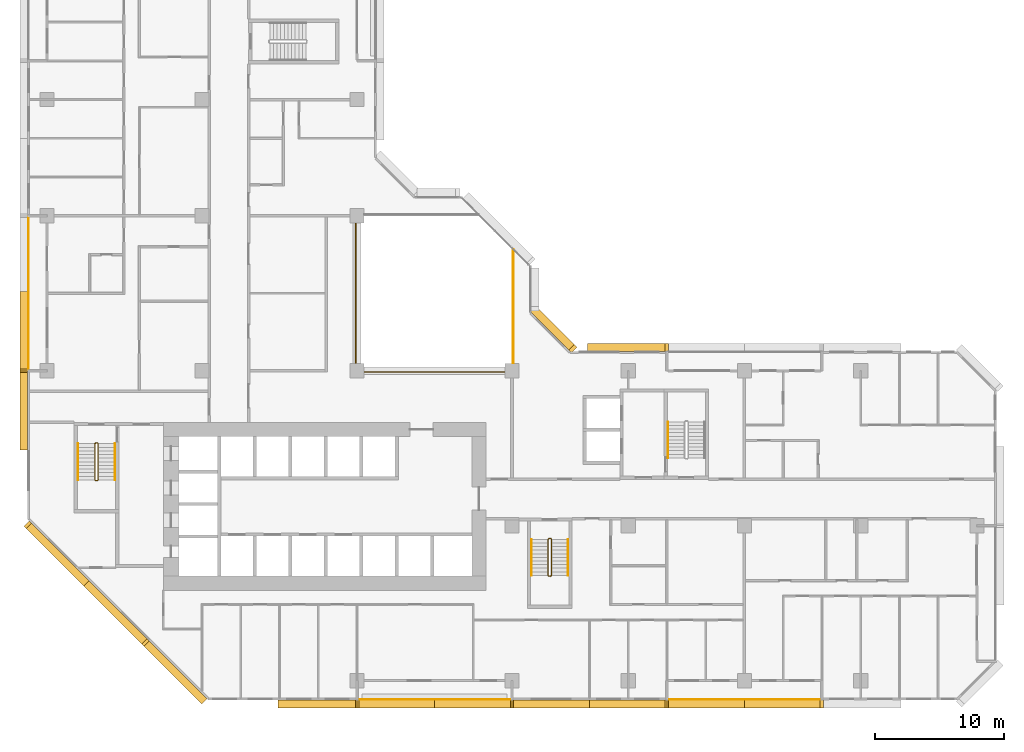
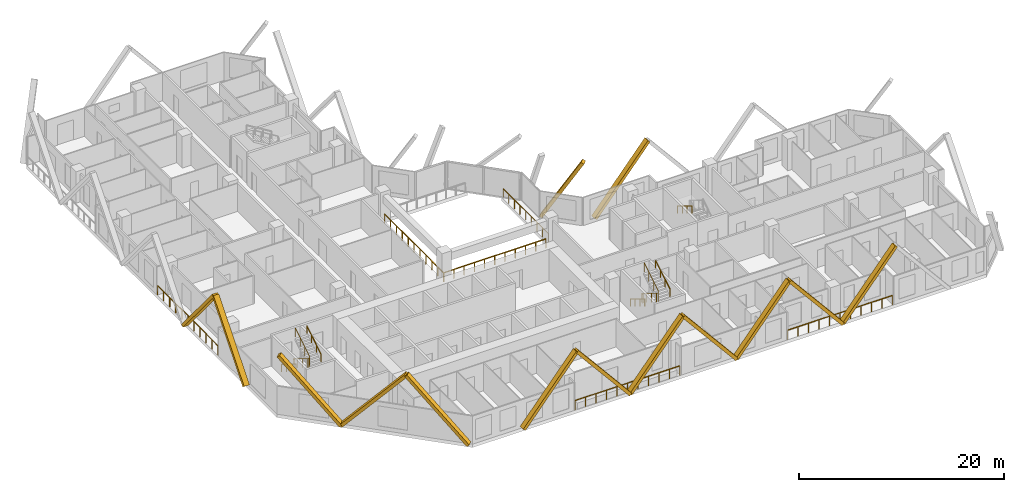
# One storey, part 14 of 15: 14 coverings, 12 railings.
"""IFC4 building model written with IfcOpenShell, lengths in metres."""

from ifc_helpers import new_model, si_unit, direction, frame, origin, origin_2d, place, context, subcontext, project, spatial, rectangle, extrude, material, material_profile, profile_set, type_object, element, save


model = new_model("IFC4")

# Units and contexts
model_context = context("Model", 3, precision=1e-05, world=origin(), true_north=direction((0.0, 1.0)))
body_context = subcontext(model_context, "Body", "Model", "MODEL_VIEW")
ifc_project = project(units=[si_unit("LENGTHUNIT", "METRE"), si_unit("AREAUNIT", "SQUARE_METRE"), si_unit("VOLUMEUNIT", "CUBIC_METRE"), si_unit("PLANEANGLEUNIT", "RADIAN"), si_unit("MASSUNIT", "GRAM", prefix="KILO")], contexts=[model_context])

# Site, building, storey
site_placement = place(None, origin())
site = spatial("IfcSite", under=ifc_project, at=site_placement, CompositionType="ELEMENT")
building_placement = place(site_placement, origin())
building = spatial("IfcBuilding", under=site, at=building_placement, Name="Chenar Terraces", CompositionType="ELEMENT")
storey_placement = place(building_placement, frame((0.0, 0.0, 63.89990234375)))
storey = spatial("IfcBuildingStorey", under=building, at=storey_placement, Name="L13", CompositionType="ELEMENT", Elevation=63.89990234375)

# Railings
ifc_material_1 = material(Name="Powder-coated steel", Category="steel")
railing_type_1 = type_object("IfcRailingType", Name="Guard 1100 steel rail with glass infill", PredefinedType="GUARDRAIL", material=ifc_material_1)
railing_1_placement = place(storey_placement, frame((23.89990234375, 35.449951171875, 0.0)))
element("IfcRailing", 1, at=railing_1_placement, inside=storey, type_object=railing_type_1, Name="Guard L13-1", PredefinedType="GUARDRAIL", context=body_context, shape_type="SweptSolid", body=[
    extrude(rectangle(XDim=0.06005859375, YDim=0.06005859375, at=origin_2d()), frame((0.0, 0.0, 1.070068359375), z_axis=(0.0, -1.0, 0.0), x_axis=(1.0, 0.0, 0.0)), (0.0, 0.0, 1.0), 11.550048828125),
    extrude(rectangle(XDim=0.06005859375, YDim=0.06005859375, at=origin_2d()), frame((0.0, -11.550048828125, 1.070068359375), z_axis=(1.0, 0.0, 0.0), x_axis=(0.0, 1.0, 0.0)), (0.0, 0.0, 1.0), 11.550048828125),
    extrude(rectangle(XDim=0.050048828125, YDim=0.050048828125, at=origin_2d()), origin(), (0.0, 0.0, 1.0), 1.0400390625),
    extrude(rectangle(XDim=0.050048828125, YDim=0.050048828125, at=origin_2d()), frame((0.0, -1.155029296875, 0.0)), (0.0, 0.0, 1.0), 1.0400390625),
    extrude(rectangle(XDim=0.050048828125, YDim=0.050048828125, at=origin_2d()), frame((0.0, -2.31005859375, 0.0)), (0.0, 0.0, 1.0), 1.0400390625),
    extrude(rectangle(XDim=0.050048828125, YDim=0.050048828125, at=origin_2d()), frame((0.0, -3.465087890625, 0.0)), (0.0, 0.0, 1.0), 1.0400390625),
    extrude(rectangle(XDim=0.050048828125, YDim=0.050048828125, at=origin_2d()), frame((0.0, -4.6201171875, 0.0)), (0.0, 0.0, 1.0), 1.0400390625),
    extrude(rectangle(XDim=0.050048828125, YDim=0.050048828125, at=origin_2d()), frame((0.0, -5.77490234375, 0.0)), (0.0, 0.0, 1.0), 1.0400390625),
    extrude(rectangle(XDim=0.050048828125, YDim=0.050048828125, at=origin_2d()), frame((0.0, -6.929931640625, 0.0)), (0.0, 0.0, 1.0), 1.0400390625),
    extrude(rectangle(XDim=0.050048828125, YDim=0.050048828125, at=origin_2d()), frame((0.0, -8.0849609375, 0.0)), (0.0, 0.0, 1.0), 1.0400390625),
    extrude(rectangle(XDim=0.050048828125, YDim=0.050048828125, at=origin_2d()), frame((0.0, -9.239990234375, 0.0)), (0.0, 0.0, 1.0), 1.0400390625),
    extrude(rectangle(XDim=0.050048828125, YDim=0.050048828125, at=origin_2d()), frame((0.0, -10.39501953125, 0.0)), (0.0, 0.0, 1.0), 1.0400390625),
    extrude(rectangle(XDim=0.050048828125, YDim=0.050048828125, at=origin_2d()), frame((0.0, -11.550048828125, 0.0)), (0.0, 0.0, 1.0), 1.0400390625),
    extrude(rectangle(XDim=0.050048828125, YDim=0.050048828125, at=origin_2d()), frame((1.155029296875, -11.550048828125, 0.0)), (0.0, 0.0, 1.0), 1.0400390625),
    extrude(rectangle(XDim=0.050048828125, YDim=0.050048828125, at=origin_2d()), frame((2.31005859375, -11.550048828125, 0.0)), (0.0, 0.0, 1.0), 1.0400390625),
    extrude(rectangle(XDim=0.050048828125, YDim=0.050048828125, at=origin_2d()), frame((3.465087890625, -11.550048828125, 0.0)), (0.0, 0.0, 1.0), 1.0400390625),
    extrude(rectangle(XDim=0.050048828125, YDim=0.050048828125, at=origin_2d()), frame((4.6201171875, -11.550048828125, 0.0)), (0.0, 0.0, 1.0), 1.0400390625),
    extrude(rectangle(XDim=0.050048828125, YDim=0.050048828125, at=origin_2d()), frame((5.77490234375, -11.550048828125, 0.0)), (0.0, 0.0, 1.0), 1.0400390625),
    extrude(rectangle(XDim=0.050048828125, YDim=0.050048828125, at=origin_2d()), frame((6.929931640625, -11.550048828125, 0.0)), (0.0, 0.0, 1.0), 1.0400390625),
    extrude(rectangle(XDim=0.050048828125, YDim=0.050048828125, at=origin_2d()), frame((8.0849609375, -11.550048828125, 0.0)), (0.0, 0.0, 1.0), 1.0400390625),
    extrude(rectangle(XDim=0.050048828125, YDim=0.050048828125, at=origin_2d()), frame((9.239990234375, -11.550048828125, 0.0)), (0.0, 0.0, 1.0), 1.0400390625),
    extrude(rectangle(XDim=0.050048828125, YDim=0.050048828125, at=origin_2d()), frame((10.39501953125, -11.550048828125, 0.0)), (0.0, 0.0, 1.0), 1.0400390625),
    extrude(rectangle(XDim=0.050048828125, YDim=0.050048828125, at=origin_2d()), frame((11.550048828125, -11.550048828125, 0.0)), (0.0, 0.0, 1.0), 1.0400390625),
])
railing_2_placement = place(storey_placement, frame((36.10009765625, 24.60009765625, 0.0)))
element("IfcRailing", 2, at=railing_2_placement, inside=storey, type_object=railing_type_1, Name="Guard L13-3", PredefinedType="GUARDRAIL", context=body_context, shape_type="SweptSolid", body=[
    extrude(rectangle(XDim=0.06005859375, YDim=0.06005859375, at=origin_2d()), frame((0.0, 0.0, 1.070068359375), z_axis=(0.0, 1.0, 0.0), x_axis=(-1.0, 0.0, 0.0)), (0.0, 0.0, 1.0), 8.7998046875),
    extrude(rectangle(XDim=0.050048828125, YDim=0.050048828125, at=origin_2d()), origin(), (0.0, 0.0, 1.0), 1.0400390625),
    extrude(rectangle(XDim=0.050048828125, YDim=0.050048828125, at=origin_2d()), frame((0.0, 1.10009765625, 0.0)), (0.0, 0.0, 1.0), 1.0400390625),
    extrude(rectangle(XDim=0.050048828125, YDim=0.050048828125, at=origin_2d()), frame((0.0, 2.199951171875, 0.0)), (0.0, 0.0, 1.0), 1.0400390625),
    extrude(rectangle(XDim=0.050048828125, YDim=0.050048828125, at=origin_2d()), frame((0.0, 3.2998046875, 0.0)), (0.0, 0.0, 1.0), 1.0400390625),
    extrude(rectangle(XDim=0.050048828125, YDim=0.050048828125, at=origin_2d()), frame((0.0, 4.39990234375, 0.0)), (0.0, 0.0, 1.0), 1.0400390625),
    extrude(rectangle(XDim=0.050048828125, YDim=0.050048828125, at=origin_2d()), frame((0.0, 5.5, 0.0)), (0.0, 0.0, 1.0), 1.0400390625),
    extrude(rectangle(XDim=0.050048828125, YDim=0.050048828125, at=origin_2d()), frame((0.0, 6.599853515625, 0.0)), (0.0, 0.0, 1.0), 1.0400390625),
    extrude(rectangle(XDim=0.050048828125, YDim=0.050048828125, at=origin_2d()), frame((0.0, 7.69970703125, 0.0)), (0.0, 0.0, 1.0), 1.0400390625),
    extrude(rectangle(XDim=0.050048828125, YDim=0.050048828125, at=origin_2d()), frame((0.0, 8.7998046875, 0.0)), (0.0, 0.0, 1.0), 1.0400390625),
])
ifc_material_2 = material(Name="Stainless steel and glass", Category="steel")
railing_type_2 = type_object("IfcRailingType", Name="Loggia guard 1150", PredefinedType="GUARDRAIL", material=ifc_material_2)
railing_3_placement = place(storey_placement, frame((24.074951171875, -1.449951171875, 0.0)))
element("IfcRailing", 3, at=railing_3_placement, inside=storey, type_object=railing_type_2, Name="Loggia guard", PredefinedType="GUARDRAIL", context=body_context, shape_type="SweptSolid", body=[
    extrude(rectangle(XDim=0.048095703125, YDim=0.048095703125, at=origin_2d()), frame((0.0, 0.0, 1.1259765625), z_axis=(1.0, 0.0, 0.0), x_axis=(0.0, 1.0, 0.0)), (0.0, 0.0, 1.0), 11.85009765625),
    extrude(rectangle(XDim=0.0419921875, YDim=0.0419921875, at=origin_2d()), origin(), (0.0, 0.0, 1.0), 1.101806640625),
    extrude(rectangle(XDim=0.0419921875, YDim=0.0419921875, at=origin_2d()), frame((1.18505859375, 0.0, 0.0)), (0.0, 0.0, 1.0), 1.101806640625),
    extrude(rectangle(XDim=0.0419921875, YDim=0.0419921875, at=origin_2d()), frame((2.3701171875, 0.0, 0.0)), (0.0, 0.0, 1.0), 1.101806640625),
    extrude(rectangle(XDim=0.0419921875, YDim=0.0419921875, at=origin_2d()), frame((3.554931640625, 0.0, 0.0)), (0.0, 0.0, 1.0), 1.101806640625),
    extrude(rectangle(XDim=0.0419921875, YDim=0.0419921875, at=origin_2d()), frame((4.739990234375, 0.0, 0.0)), (0.0, 0.0, 1.0), 1.101806640625),
    extrude(rectangle(XDim=0.0419921875, YDim=0.0419921875, at=origin_2d()), frame((5.925048828125, 0.0, 0.0)), (0.0, 0.0, 1.0), 1.101806640625),
    extrude(rectangle(XDim=0.0419921875, YDim=0.0419921875, at=origin_2d()), frame((7.110107421875, 0.0, 0.0)), (0.0, 0.0, 1.0), 1.101806640625),
    extrude(rectangle(XDim=0.0419921875, YDim=0.0419921875, at=origin_2d()), frame((8.295166015625, 0.0, 0.0)), (0.0, 0.0, 1.0), 1.101806640625),
    extrude(rectangle(XDim=0.0419921875, YDim=0.0419921875, at=origin_2d()), frame((9.47998046875, 0.0, 0.0)), (0.0, 0.0, 1.0), 1.101806640625),
    extrude(rectangle(XDim=0.0419921875, YDim=0.0419921875, at=origin_2d()), frame((10.6650390625, 0.0, 0.0)), (0.0, 0.0, 1.0), 1.101806640625),
    extrude(rectangle(XDim=0.0419921875, YDim=0.0419921875, at=origin_2d()), frame((11.85009765625, 0.0, 0.0)), (0.0, 0.0, 1.0), 1.101806640625),
])
railing_4_placement = place(storey_placement, frame((48.074951171875, -1.449951171875, 0.0)))
element("IfcRailing", 4, at=railing_4_placement, inside=storey, type_object=railing_type_2, Name="Loggia guard", PredefinedType="GUARDRAIL", context=body_context, shape_type="SweptSolid", body=[
    extrude(rectangle(XDim=0.048095703125, YDim=0.048095703125, at=origin_2d()), frame((0.0, 0.0, 1.1259765625), z_axis=(1.0, 0.0, 0.0), x_axis=(0.0, 1.0, 0.0)), (0.0, 0.0, 1.0), 11.85009765625),
    extrude(rectangle(XDim=0.0419921875, YDim=0.0419921875, at=origin_2d()), origin(), (0.0, 0.0, 1.0), 1.101806640625),
    extrude(rectangle(XDim=0.0419921875, YDim=0.0419921875, at=origin_2d()), frame((1.18505859375, 0.0, 0.0)), (0.0, 0.0, 1.0), 1.101806640625),
    extrude(rectangle(XDim=0.0419921875, YDim=0.0419921875, at=origin_2d()), frame((2.3701171875, 0.0, 0.0)), (0.0, 0.0, 1.0), 1.101806640625),
    extrude(rectangle(XDim=0.0419921875, YDim=0.0419921875, at=origin_2d()), frame((3.554931640625, 0.0, 0.0)), (0.0, 0.0, 1.0), 1.101806640625),
    extrude(rectangle(XDim=0.0419921875, YDim=0.0419921875, at=origin_2d()), frame((4.739990234375, 0.0, 0.0)), (0.0, 0.0, 1.0), 1.101806640625),
    extrude(rectangle(XDim=0.0419921875, YDim=0.0419921875, at=origin_2d()), frame((5.925048828125, 0.0, 0.0)), (0.0, 0.0, 1.0), 1.101806640625),
    extrude(rectangle(XDim=0.0419921875, YDim=0.0419921875, at=origin_2d()), frame((7.110107421875, 0.0, 0.0)), (0.0, 0.0, 1.0), 1.101806640625),
    extrude(rectangle(XDim=0.0419921875, YDim=0.0419921875, at=origin_2d()), frame((8.295166015625, 0.0, 0.0)), (0.0, 0.0, 1.0), 1.101806640625),
    extrude(rectangle(XDim=0.0419921875, YDim=0.0419921875, at=origin_2d()), frame((9.47998046875, 0.0, 0.0)), (0.0, 0.0, 1.0), 1.101806640625),
    extrude(rectangle(XDim=0.0419921875, YDim=0.0419921875, at=origin_2d()), frame((10.6650390625, 0.0, 0.0)), (0.0, 0.0, 1.0), 1.101806640625),
    extrude(rectangle(XDim=0.0419921875, YDim=0.0419921875, at=origin_2d()), frame((11.85009765625, 0.0, 0.0)), (0.0, 0.0, 1.0), 1.101806640625),
])
railing_5_placement = place(storey_placement, frame((-1.449951171875, 35.925048828125, 0.0)))
element("IfcRailing", 5, at=railing_5_placement, inside=storey, type_object=railing_type_2, Name="Loggia guard", PredefinedType="GUARDRAIL", context=body_context, shape_type="SweptSolid", body=[
    extrude(rectangle(XDim=0.048095703125, YDim=0.048095703125, at=origin_2d()), frame((0.0, 0.0, 1.1259765625), z_axis=(0.0, -1.0, 0.0), x_axis=(1.0, 0.0, 0.0)), (0.0, 0.0, 1.0), 11.85009765625),
    extrude(rectangle(XDim=0.0419921875, YDim=0.0419921875, at=origin_2d()), origin(), (0.0, 0.0, 1.0), 1.101806640625),
    extrude(rectangle(XDim=0.0419921875, YDim=0.0419921875, at=origin_2d()), frame((0.0, -1.18505859375, 0.0)), (0.0, 0.0, 1.0), 1.101806640625),
    extrude(rectangle(XDim=0.0419921875, YDim=0.0419921875, at=origin_2d()), frame((0.0, -2.3701171875, 0.0)), (0.0, 0.0, 1.0), 1.101806640625),
    extrude(rectangle(XDim=0.0419921875, YDim=0.0419921875, at=origin_2d()), frame((0.0, -3.554931640625, 0.0)), (0.0, 0.0, 1.0), 1.101806640625),
    extrude(rectangle(XDim=0.0419921875, YDim=0.0419921875, at=origin_2d()), frame((0.0, -4.739990234375, 0.0)), (0.0, 0.0, 1.0), 1.101806640625),
    extrude(rectangle(XDim=0.0419921875, YDim=0.0419921875, at=origin_2d()), frame((0.0, -5.925048828125, 0.0)), (0.0, 0.0, 1.0), 1.101806640625),
    extrude(rectangle(XDim=0.0419921875, YDim=0.0419921875, at=origin_2d()), frame((0.0, -7.110107421875, 0.0)), (0.0, 0.0, 1.0), 1.101806640625),
    extrude(rectangle(XDim=0.0419921875, YDim=0.0419921875, at=origin_2d()), frame((0.0, -8.295166015625, 0.0)), (0.0, 0.0, 1.0), 1.101806640625),
    extrude(rectangle(XDim=0.0419921875, YDim=0.0419921875, at=origin_2d()), frame((0.0, -9.47998046875, 0.0)), (0.0, 0.0, 1.0), 1.101806640625),
    extrude(rectangle(XDim=0.0419921875, YDim=0.0419921875, at=origin_2d()), frame((0.0, -10.6650390625, 0.0)), (0.0, 0.0, 1.0), 1.101806640625),
    extrude(rectangle(XDim=0.0419921875, YDim=0.0419921875, at=origin_2d()), frame((0.0, -11.85009765625, 0.0)), (0.0, 0.0, 1.0), 1.101806640625),
])
ifc_material_3 = material(Name="Powder-coated steel", Category="steel")
railing_type_3 = type_object("IfcRailingType", Name="Stair guard 1100", PredefinedType="GUARDRAIL", material=ifc_material_3)
railing_6_placement = place(storey_placement, frame((3.949951171875, 18.35009765625, 3.75)))
element("IfcRailing", 6, at=railing_6_placement, inside=storey, type_object=railing_type_3, Name="L13 ST1 stair guard 1", PredefinedType="GUARDRAIL", context=body_context, shape_type="SweptSolid", body=[
    extrude(rectangle(XDim=0.048095703125, YDim=0.048095703125, at=origin_2d()), frame((0.0, 0.0, 1.076171875), z_axis=(0.0, -0.854202870247, -0.519939858505), x_axis=(1.0, 0.0, 0.0)), (0.0, 0.0, 1.0), 3.278076171875),
    extrude(rectangle(XDim=0.048095703125, YDim=0.048095703125, at=origin_2d()), frame((0.0, -2.800048828125, -0.62841796875), z_axis=(-0.270899902878, -0.270899902878, -0.923702595667), x_axis=(0.707106781187, -0.707106781187, 0.0)), (0.0, 0.0, 1.0), 0.184814453125),
    extrude(rectangle(XDim=0.048095703125, YDim=0.048095703125, at=origin_2d()), frame((-0.050048828125, -2.85009765625, -0.798828125), z_axis=(-1.0, 0.0, 0.0), x_axis=(0.0, -1.0, 0.0)), (0.0, 0.0, 1.0), 0.14990234375),
    extrude(rectangle(XDim=0.048095703125, YDim=0.048095703125, at=origin_2d()), frame((-0.199951171875, -2.85009765625, -0.798828125), z_axis=(-0.707106781187, 0.707106781187, 0.0), x_axis=(-0.707106781187, -0.707106781187, 0.0)), (0.0, 0.0, 1.0), 0.07080078125),
    extrude(rectangle(XDim=0.048095703125, YDim=0.048095703125, at=origin_2d()), frame((-0.25, -2.800048828125, -0.798828125), z_axis=(0.0, 0.854202870247, -0.519939858505), x_axis=(-1.0, 0.0, 0.0)), (0.0, 0.0, 1.0), 3.278076171875),
    extrude(rectangle(XDim=0.048095703125, YDim=0.048095703125, at=origin_2d()), frame((-0.25, 0.0, -2.50341796875), z_axis=(0.270996696079, 0.269674760976, -0.924032636873), x_axis=(-0.705375805398, 0.708833529934, 0.0)), (0.0, 0.0, 1.0), 0.1845703125),
    extrude(rectangle(XDim=0.048095703125, YDim=0.048095703125, at=origin_2d()), frame((-0.199951171875, 0.0498046875, -2.673828125), z_axis=(1.0, 0.0, 0.0), x_axis=(0.0, 1.0, 0.0)), (0.0, 0.0, 1.0), 0.14990234375),
    extrude(rectangle(XDim=0.0419921875, YDim=0.0419921875, at=origin_2d()), origin(), (0.0, 0.0, 1.0), 1.052001953125),
    extrude(rectangle(XDim=0.0419921875, YDim=0.0419921875, at=origin_2d()), frame((0.0, -0.933349609375, -0.568115234375)), (0.0, 0.0, 1.0), 1.052001953125),
    extrude(rectangle(XDim=0.0419921875, YDim=0.0419921875, at=origin_2d()), frame((0.0, -1.86669921875, -1.13623046875)), (0.0, 0.0, 1.0), 1.052001953125),
    extrude(rectangle(XDim=0.0419921875, YDim=0.0419921875, at=origin_2d()), frame((0.0, -2.800048828125, -1.704345703125)), (0.0, 0.0, 1.0), 1.052001953125),
    extrude(rectangle(XDim=0.0419921875, YDim=0.0419921875, at=origin_2d()), frame((-0.050048828125, -2.85009765625, -1.875)), (0.0, 0.0, 1.0), 1.052001953125),
    extrude(rectangle(XDim=0.0419921875, YDim=0.0419921875, at=origin_2d()), frame((-0.199951171875, -2.85009765625, -1.875)), (0.0, 0.0, 1.0), 1.052001953125),
    extrude(rectangle(XDim=0.0419921875, YDim=0.0419921875, at=origin_2d()), frame((-0.25, -2.800048828125, -1.875)), (0.0, 0.0, 1.0), 1.052001953125),
    extrude(rectangle(XDim=0.0419921875, YDim=0.0419921875, at=origin_2d()), frame((-0.25, -1.86669921875, -2.443115234375)), (0.0, 0.0, 1.0), 1.052001953125),
    extrude(rectangle(XDim=0.0419921875, YDim=0.0419921875, at=origin_2d()), frame((-0.25, -0.933349609375, -3.01123046875)), (0.0, 0.0, 1.0), 1.052001953125),
    extrude(rectangle(XDim=0.0419921875, YDim=0.0419921875, at=origin_2d()), frame((-0.25, 0.0, -3.579345703125)), (0.0, 0.0, 1.0), 1.052001953125),
    extrude(rectangle(XDim=0.0419921875, YDim=0.0419921875, at=origin_2d()), frame((-0.199951171875, 0.0498046875, -3.75)), (0.0, 0.0, 1.0), 1.052001953125),
    extrude(rectangle(XDim=0.0419921875, YDim=0.0419921875, at=origin_2d()), frame((-0.050048828125, 0.0498046875, -3.75)), (0.0, 0.0, 1.0), 1.052001953125),
])
railing_7_placement = place(storey_placement, frame((39.050048828125, 10.949951171875, 3.75)))
element("IfcRailing", 7, at=railing_7_placement, inside=storey, type_object=railing_type_3, Name="L13 ST2 stair guard 1", PredefinedType="GUARDRAIL", context=body_context, shape_type="SweptSolid", body=[
    extrude(rectangle(XDim=0.048095703125, YDim=0.048095703125, at=origin_2d()), frame((0.0, 0.0, 1.076171875), z_axis=(0.0, -0.854202870247, -0.519939858505), x_axis=(1.0, 0.0, 0.0)), (0.0, 0.0, 1.0), 3.278076171875),
    extrude(rectangle(XDim=0.048095703125, YDim=0.048095703125, at=origin_2d()), frame((0.0, -2.800048828125, -0.62841796875), z_axis=(-0.270996696079, -0.269674760976, -0.924032636873), x_axis=(0.705375805398, -0.708833529934, 0.0)), (0.0, 0.0, 1.0), 0.1845703125),
    extrude(rectangle(XDim=0.048095703125, YDim=0.048095703125, at=origin_2d()), frame((-0.050048828125, -2.849853515625, -0.798828125), z_axis=(-1.0, 0.0, 0.0), x_axis=(0.0, -1.0, 0.0)), (0.0, 0.0, 1.0), 0.14990234375),
    extrude(rectangle(XDim=0.048095703125, YDim=0.048095703125, at=origin_2d()), frame((-0.199951171875, -2.849853515625, -0.798828125), z_axis=(-0.708833529934, 0.705375805398, 0.0), x_axis=(-0.705375805398, -0.708833529934, 0.0)), (0.0, 0.0, 1.0), 0.070556640625),
    extrude(rectangle(XDim=0.048095703125, YDim=0.048095703125, at=origin_2d()), frame((-0.25, -2.800048828125, -0.798828125), z_axis=(0.0, 0.854202870247, -0.519939858505), x_axis=(-1.0, 0.0, 0.0)), (0.0, 0.0, 1.0), 3.278076171875),
    extrude(rectangle(XDim=0.048095703125, YDim=0.048095703125, at=origin_2d()), frame((-0.25, 0.0, -2.50341796875), z_axis=(0.270899902878, 0.270899902878, -0.923702595667), x_axis=(-0.707106781187, 0.707106781187, 0.0)), (0.0, 0.0, 1.0), 0.184814453125),
    extrude(rectangle(XDim=0.048095703125, YDim=0.048095703125, at=origin_2d()), frame((-0.199951171875, 0.050048828125, -2.673828125), z_axis=(1.0, 0.0, 0.0), x_axis=(0.0, 1.0, 0.0)), (0.0, 0.0, 1.0), 0.14990234375),
    extrude(rectangle(XDim=0.0419921875, YDim=0.0419921875, at=origin_2d()), origin(), (0.0, 0.0, 1.0), 1.052001953125),
    extrude(rectangle(XDim=0.0419921875, YDim=0.0419921875, at=origin_2d()), frame((0.0, -0.933349609375, -0.568115234375)), (0.0, 0.0, 1.0), 1.052001953125),
    extrude(rectangle(XDim=0.0419921875, YDim=0.0419921875, at=origin_2d()), frame((0.0, -1.86669921875, -1.13623046875)), (0.0, 0.0, 1.0), 1.052001953125),
    extrude(rectangle(XDim=0.0419921875, YDim=0.0419921875, at=origin_2d()), frame((0.0, -2.800048828125, -1.704345703125)), (0.0, 0.0, 1.0), 1.052001953125),
    extrude(rectangle(XDim=0.0419921875, YDim=0.0419921875, at=origin_2d()), frame((-0.050048828125, -2.849853515625, -1.875)), (0.0, 0.0, 1.0), 1.052001953125),
    extrude(rectangle(XDim=0.0419921875, YDim=0.0419921875, at=origin_2d()), frame((-0.199951171875, -2.849853515625, -1.875)), (0.0, 0.0, 1.0), 1.052001953125),
    extrude(rectangle(XDim=0.0419921875, YDim=0.0419921875, at=origin_2d()), frame((-0.25, -2.800048828125, -1.875)), (0.0, 0.0, 1.0), 1.052001953125),
    extrude(rectangle(XDim=0.0419921875, YDim=0.0419921875, at=origin_2d()), frame((-0.25, -1.86669921875, -2.443115234375)), (0.0, 0.0, 1.0), 1.052001953125),
    extrude(rectangle(XDim=0.0419921875, YDim=0.0419921875, at=origin_2d()), frame((-0.25, -0.933349609375, -3.01123046875)), (0.0, 0.0, 1.0), 1.052001953125),
    extrude(rectangle(XDim=0.0419921875, YDim=0.0419921875, at=origin_2d()), frame((-0.25, 0.0, -3.579345703125)), (0.0, 0.0, 1.0), 1.052001953125),
    extrude(rectangle(XDim=0.0419921875, YDim=0.0419921875, at=origin_2d()), frame((-0.199951171875, 0.050048828125, -3.75)), (0.0, 0.0, 1.0), 1.052001953125),
    extrude(rectangle(XDim=0.0419921875, YDim=0.0419921875, at=origin_2d()), frame((-0.050048828125, 0.050048828125, -3.75)), (0.0, 0.0, 1.0), 1.052001953125),
])
ifc_material_4 = material(Name="Powder-coated steel", Category="steel")
railing_type_4 = type_object("IfcRailingType", Name="Stair handrail 900", PredefinedType="HANDRAIL", material=ifc_material_4)
railing_8_placement = place(storey_placement, frame((2.39990234375, 18.35009765625, 0.170654296875)))
element("IfcRailing", 8, at=railing_8_placement, inside=storey, type_object=railing_type_4, Name="L13 ST1 stair handrail 1", PredefinedType="HANDRAIL", context=body_context, shape_type="SweptSolid", body=[
    extrude(rectangle(XDim=0.048095703125, YDim=0.048095703125, at=origin_2d()), frame((0.0, 0.0, 0.8759765625), z_axis=(0.0, -0.854202870247, 0.519939858505), x_axis=(1.0, 0.0, 0.0)), (0.0, 0.0, 1.0), 3.278076171875),
    extrude(rectangle(XDim=0.0419921875, YDim=0.0419921875, at=origin_2d()), origin(), (0.0, 0.0, 1.0), 0.851806640625),
    extrude(rectangle(XDim=0.0419921875, YDim=0.0419921875, at=origin_2d()), frame((0.0, -0.933349609375, 0.568115234375)), (0.0, 0.0, 1.0), 0.851806640625),
    extrude(rectangle(XDim=0.0419921875, YDim=0.0419921875, at=origin_2d()), frame((0.0, -1.86669921875, 1.13623046875)), (0.0, 0.0, 1.0), 0.851806640625),
    extrude(rectangle(XDim=0.0419921875, YDim=0.0419921875, at=origin_2d()), frame((0.0, -2.800048828125, 1.704345703125)), (0.0, 0.0, 1.0), 0.851806640625),
])
railing_9_placement = place(storey_placement, frame((5.25, 15.550048828125, 2.045654296875)))
element("IfcRailing", 9, at=railing_9_placement, inside=storey, type_object=railing_type_4, Name="L13 ST1 stair handrail 2", PredefinedType="HANDRAIL", context=body_context, shape_type="SweptSolid", body=[
    extrude(rectangle(XDim=0.048095703125, YDim=0.048095703125, at=origin_2d()), frame((0.0, 0.0, 0.8759765625), z_axis=(0.0, 0.854202870247, 0.519939858505), x_axis=(-1.0, 0.0, 0.0)), (0.0, 0.0, 1.0), 3.278076171875),
    extrude(rectangle(XDim=0.0419921875, YDim=0.0419921875, at=origin_2d()), origin(), (0.0, 0.0, 1.0), 0.851806640625),
    extrude(rectangle(XDim=0.0419921875, YDim=0.0419921875, at=origin_2d()), frame((0.0, 0.933349609375, 0.568115234375)), (0.0, 0.0, 1.0), 0.851806640625),
    extrude(rectangle(XDim=0.0419921875, YDim=0.0419921875, at=origin_2d()), frame((0.0, 1.86669921875, 1.13623046875)), (0.0, 0.0, 1.0), 0.851806640625),
    extrude(rectangle(XDim=0.0419921875, YDim=0.0419921875, at=origin_2d()), frame((0.0, 2.800048828125, 1.704345703125)), (0.0, 0.0, 1.0), 0.851806640625),
])
railing_10_placement = place(storey_placement, frame((37.5, 10.949951171875, 0.170654296875)))
element("IfcRailing", 10, at=railing_10_placement, inside=storey, type_object=railing_type_4, Name="L13 ST2 stair handrail 1", PredefinedType="HANDRAIL", context=body_context, shape_type="SweptSolid", body=[
    extrude(rectangle(XDim=0.048095703125, YDim=0.048095703125, at=origin_2d()), frame((0.0, 0.0, 0.8759765625), z_axis=(0.0, -0.854202870247, 0.519939858505), x_axis=(1.0, 0.0, 0.0)), (0.0, 0.0, 1.0), 3.278076171875),
    extrude(rectangle(XDim=0.0419921875, YDim=0.0419921875, at=origin_2d()), origin(), (0.0, 0.0, 1.0), 0.851806640625),
    extrude(rectangle(XDim=0.0419921875, YDim=0.0419921875, at=origin_2d()), frame((0.0, -0.933349609375, 0.568115234375)), (0.0, 0.0, 1.0), 0.851806640625),
    extrude(rectangle(XDim=0.0419921875, YDim=0.0419921875, at=origin_2d()), frame((0.0, -1.86669921875, 1.13623046875)), (0.0, 0.0, 1.0), 0.851806640625),
    extrude(rectangle(XDim=0.0419921875, YDim=0.0419921875, at=origin_2d()), frame((0.0, -2.800048828125, 1.704345703125)), (0.0, 0.0, 1.0), 0.851806640625),
])
railing_11_placement = place(storey_placement, frame((40.35009765625, 8.14990234375, 2.045654296875)))
element("IfcRailing", 11, at=railing_11_placement, inside=storey, type_object=railing_type_4, Name="L13 ST2 stair handrail 2", PredefinedType="HANDRAIL", context=body_context, shape_type="SweptSolid", body=[
    extrude(rectangle(XDim=0.048095703125, YDim=0.048095703125, at=origin_2d()), frame((0.0, 0.0, 0.8759765625), z_axis=(0.0, 0.854202870247, 0.519939858505), x_axis=(-1.0, 0.0, 0.0)), (0.0, 0.0, 1.0), 3.278076171875),
    extrude(rectangle(XDim=0.0419921875, YDim=0.0419921875, at=origin_2d()), origin(), (0.0, 0.0, 1.0), 0.851806640625),
    extrude(rectangle(XDim=0.0419921875, YDim=0.0419921875, at=origin_2d()), frame((0.0, 0.933349609375, 0.568115234375)), (0.0, 0.0, 1.0), 0.851806640625),
    extrude(rectangle(XDim=0.0419921875, YDim=0.0419921875, at=origin_2d()), frame((0.0, 1.86669921875, 1.13623046875)), (0.0, 0.0, 1.0), 0.851806640625),
    extrude(rectangle(XDim=0.0419921875, YDim=0.0419921875, at=origin_2d()), frame((0.0, 2.800048828125, 1.704345703125)), (0.0, 0.0, 1.0), 0.851806640625),
])
railing_12_placement = place(storey_placement, frame((48.074951171875, 20.050048828125, 2.045654296875)))
element("IfcRailing", 12, at=railing_12_placement, inside=storey, type_object=railing_type_4, Name="L13 ST3 stair handrail 2", PredefinedType="HANDRAIL", context=body_context, shape_type="SweptSolid", body=[
    extrude(rectangle(XDim=0.048095703125, YDim=0.048095703125, at=origin_2d()), frame((0.0, 0.0, 0.8759765625), z_axis=(0.0, -0.854202870247, 0.519939858505), x_axis=(1.0, 0.0, 0.0)), (0.0, 0.0, 1.0), 3.278076171875),
    extrude(rectangle(XDim=0.0419921875, YDim=0.0419921875, at=origin_2d()), origin(), (0.0, 0.0, 1.0), 0.851806640625),
    extrude(rectangle(XDim=0.0419921875, YDim=0.0419921875, at=origin_2d()), frame((0.0, -0.933349609375, 0.568115234375)), (0.0, 0.0, 1.0), 0.851806640625),
    extrude(rectangle(XDim=0.0419921875, YDim=0.0419921875, at=origin_2d()), frame((0.0, -1.86669921875, 1.13623046875)), (0.0, 0.0, 1.0), 0.851806640625),
    extrude(rectangle(XDim=0.0419921875, YDim=0.0419921875, at=origin_2d()), frame((0.0, -2.800048828125, 1.704345703125)), (0.0, 0.0, 1.0), 0.851806640625),
])

# Coverings
ifc_material_5 = material(Name="Terracotta", Category="masonry")
ifc_material_profile = material_profile(ifc_material_5, rectangle(XDim=0.60009765625, YDim=0.35009765625, at=origin_2d()), Name="Terracotta baguette 600 x 350")
ifc_profile_set = profile_set([ifc_material_profile], Name="Terracotta")
covering_type = type_object("IfcCoveringType", Name="Terracotta baguette 600 x 350", PredefinedType="CLADDING", material=ifc_profile_set)
covering_1_placement = place(storey_placement, frame((48.0, 25.800048828125, 7.35009765625), z_axis=(-0.640186961885, 0.0, -0.768219144407), x_axis=(0.0, -1.0, 0.0)))
element("IfcCovering", 13, at=covering_1_placement, inside=storey, type_object=covering_type, Name="Terracotta baguette", PredefinedType="CLADDING", context=body_context, shape_type="SweptSolid", body=[
    extrude(rectangle(XDim=0.60009765625, YDim=0.35009765625, at=origin_2d()), origin(), (0.0, 0.0, 1.0), 9.372314453125),
])
covering_2_placement = place(storey_placement, frame((40.712158203125, 25.712158203125, 7.35009765625), z_axis=(-0.358980886355, 0.358980886355, -0.861548284464), x_axis=(-0.707106781187, -0.707106781187, 0.0)))
element("IfcCovering", 14, at=covering_2_placement, inside=storey, type_object=covering_type, Name="Terracotta baguette", PredefinedType="CLADDING", context=body_context, shape_type="SweptSolid", body=[
    extrude(rectangle(XDim=0.60009765625, YDim=0.35009765625, at=origin_2d()), origin(), (0.0, 0.0, 1.0), 8.35693359375),
])
for number, where, z_axis, x_axis, name in (
    (15, (-1.800048828125, 30.0, 0.150146484375), (0.0, -0.640186961885, 0.768219144407), (1.0, 0.0, 0.0), "Terracotta baguette"),
    (16, (-1.800048828125, 24.0, 7.35009765625), (0.0, -0.640186961885, -0.768219144407), (1.0, 0.0, 0.0), "Terracotta baguette"),
):
    element("IfcCovering", number, at=place(storey_placement, frame(where, z_axis=z_axis, x_axis=x_axis)), inside=storey, type_object=covering_type, Name=name, PredefinedType="CLADDING", context=body_context, shape_type="SweptSolid", body=[
        extrude(rectangle(XDim=0.60009765625, YDim=0.35009765625, at=origin_2d()), origin(), (0.0, 0.0, 1.0), 9.372314453125),
    ])
covering_3_placement = place(storey_placement, frame((-1.5, 12.07568359375, 7.35009765625), z_axis=(0.465624035565, -0.465624035565, -0.752587878595), x_axis=(0.707106781187, 0.707106781187, 0.0)))
element("IfcCovering", 17, at=covering_3_placement, inside=storey, type_object=covering_type, Name="Terracotta baguette", PredefinedType="CLADDING", context=body_context, shape_type="SweptSolid", body=[
    extrude(rectangle(XDim=0.60009765625, YDim=0.35009765625, at=origin_2d()), origin(), (0.0, 0.0, 1.0), 9.56689453125),
])
covering_4_placement = place(storey_placement, frame((2.95458984375, 7.62109375, 0.150146484375), z_axis=(0.477788925607, -0.477788925607, 0.737180768289), x_axis=(0.707106781187, 0.707106781187, 0.0)))
element("IfcCovering", 18, at=covering_4_placement, inside=storey, type_object=covering_type, Name="Terracotta baguette", PredefinedType="CLADDING", context=body_context, shape_type="SweptSolid", body=[
    extrude(rectangle(XDim=0.60009765625, YDim=0.35009765625, at=origin_2d()), origin(), (0.0, 0.0, 1.0), 9.766845703125),
])
covering_5_placement = place(storey_placement, frame((7.62109375, 2.95458984375, 7.35009765625), z_axis=(0.465624035565, -0.465624035565, -0.752587878595), x_axis=(0.707106781187, 0.707106781187, 0.0)))
element("IfcCovering", 19, at=covering_5_placement, inside=storey, type_object=covering_type, Name="Terracotta baguette", PredefinedType="CLADDING", context=body_context, shape_type="SweptSolid", body=[
    extrude(rectangle(XDim=0.60009765625, YDim=0.35009765625, at=origin_2d()), origin(), (0.0, 0.0, 1.0), 9.56689453125),
])
for number, where, z_axis, x_axis, name in (
    (20, (18.0, -1.800048828125, 0.150146484375), (0.640186961885, 0.0, 0.768219144407), (0.0, 1.0, 0.0), "Terracotta baguette"),
    (21, (24.0, -1.800048828125, 7.35009765625), (0.640186961885, 0.0, -0.768219144407), (0.0, 1.0, 0.0), "Terracotta baguette"),
    (22, (30.0, -1.800048828125, 0.150146484375), (0.640186961885, 0.0, 0.768219144407), (0.0, 1.0, 0.0), "Terracotta baguette"),
    (23, (36.0, -1.800048828125, 7.35009765625), (0.640186961885, 0.0, -0.768219144407), (0.0, 1.0, 0.0), "Terracotta baguette"),
    (24, (42.0, -1.800048828125, 0.150146484375), (0.640186961885, 0.0, 0.768219144407), (0.0, 1.0, 0.0), "Terracotta baguette"),
    (25, (48.0, -1.800048828125, 7.35009765625), (0.640186961885, 0.0, -0.768219144407), (0.0, 1.0, 0.0), "Terracotta baguette"),
    (26, (54.0, -1.800048828125, 0.150146484375), (0.640186961885, 0.0, 0.768219144407), (0.0, 1.0, 0.0), "Terracotta baguette"),
):
    element("IfcCovering", number, at=place(storey_placement, frame(where, z_axis=z_axis, x_axis=x_axis)), inside=storey, type_object=covering_type, Name=name, PredefinedType="CLADDING", context=body_context, shape_type="SweptSolid", body=[
        extrude(rectangle(XDim=0.60009765625, YDim=0.35009765625, at=origin_2d()), origin(), (0.0, 0.0, 1.0), 9.372314453125),
    ])

save(model, "model.ifc")
